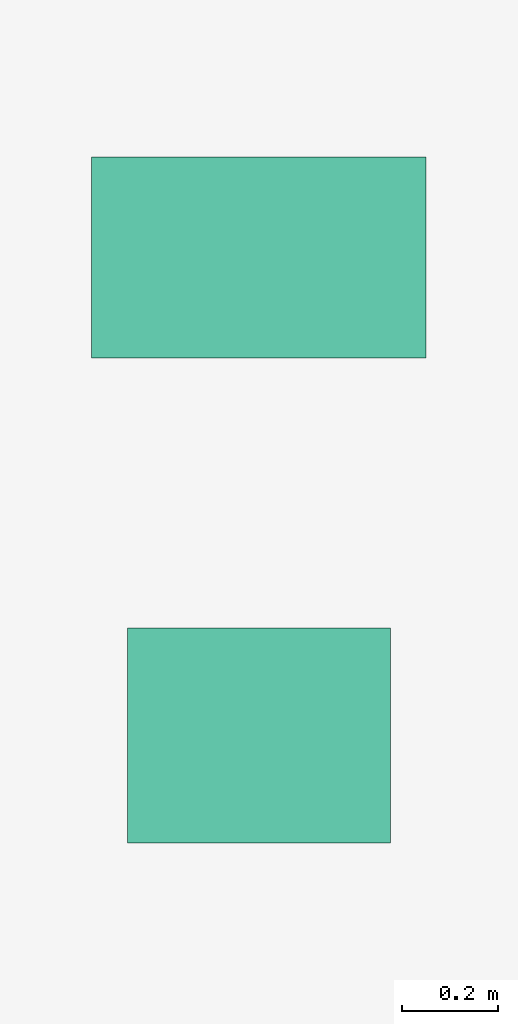
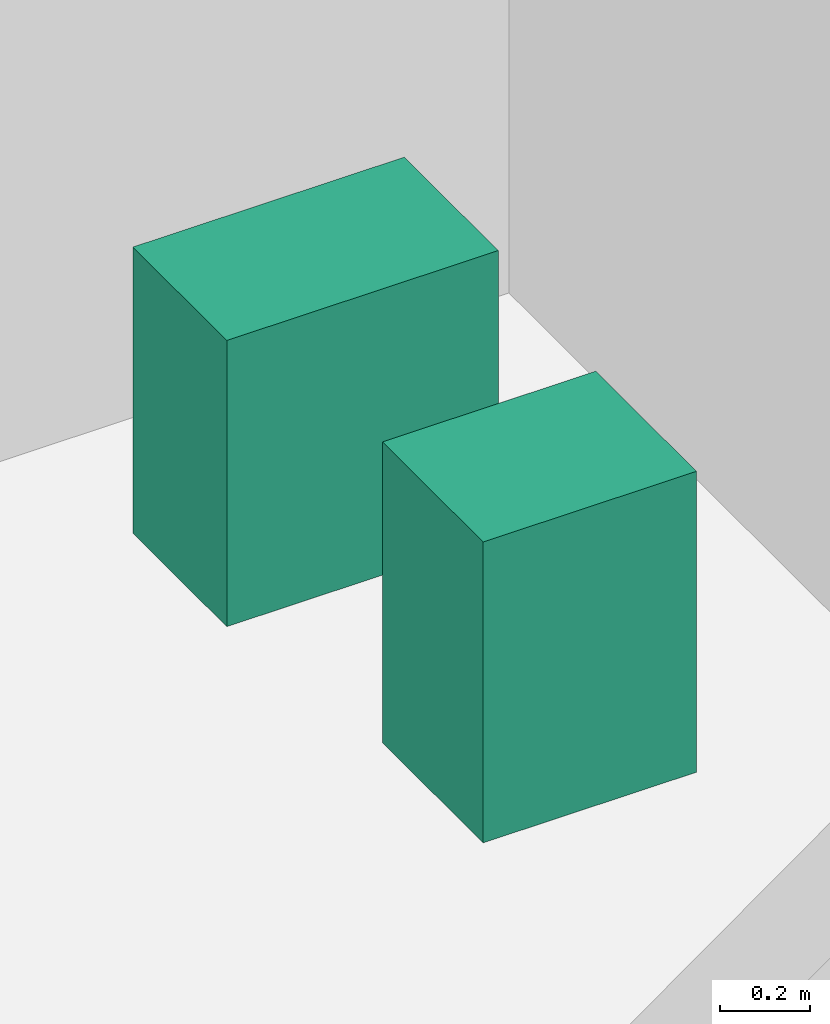
# One storey, part 30 of 30: 2 sanitary terminals.
"""IFC4 building model written with IfcOpenShell, lengths in metres."""

from ifc_helpers import new_model, si_unit, direction, frame, origin, origin_2d, place, context, subcontext, project, spatial, rectangle, extrude, source, transform, mapped, material, type_object, element, save


model = new_model("IFC4")

# Units and contexts
model_context = context("Model", 3, precision=1e-05, world=origin(), true_north=direction((0.0, 1.0)))
body_context = subcontext(model_context, "Body", "Model", "MODEL_VIEW")
ifc_project = project(units=[si_unit("LENGTHUNIT", "METRE"), si_unit("AREAUNIT", "SQUARE_METRE"), si_unit("VOLUMEUNIT", "CUBIC_METRE"), si_unit("PLANEANGLEUNIT", "RADIAN"), si_unit("MASSUNIT", "GRAM", prefix="KILO")], contexts=[model_context])

# Site, building, storey
site_placement = place(None, origin())
site = spatial("IfcSite", under=ifc_project, at=site_placement, CompositionType="ELEMENT")
building_placement = place(site_placement, origin())
building = spatial("IfcBuilding", under=site, at=building_placement, Name="Sumidabori Civic Tower", CompositionType="ELEMENT")
storey_placement = place(building_placement, frame((0.0, 0.0, 200.0)))
storey = spatial("IfcBuildingStorey", under=building, at=storey_placement, Name="L51", CompositionType="ELEMENT", Elevation=200.0)

# Sanitary terminals
ifc_material = material(Name="Vitreous Sanitary Porcelain")
sanitary_terminal_type_1 = type_object("IfcSanitaryTerminalType", Name="SN-WC-1", PredefinedType="TOILETPAN", material=ifc_material)
shared_shape_1 = source(origin(), body_context, "Body", "SweptSolid", [
    extrude(rectangle(XDim=0.699951171875, YDim=0.419921875, at=origin_2d()), origin(), (0.0, 0.0, 1.0), 0.780029296875),
])
sanitary_terminal_1_placement = place(storey_placement, frame((10.800048828125, 21.85009765625, 0.0), z_axis=(0.0, 0.0, 1.0), x_axis=(1.0, 0.0, 0.0)))
element("IfcSanitaryTerminal", 1, at=sanitary_terminal_1_placement, inside=storey, type_object=sanitary_terminal_type_1, Name="Accessible WC Pan L51", PredefinedType="TOILETPAN", context=body_context, shape_type="MappedRepresentation", body=[
    mapped(shared_shape_1, transform((0.0, 0.0, 0.0), x_axis=(1.0, 0.0, 0.0), y_axis=(0.0, 1.0, 0.0), z_axis=(0.0, 0.0, 1.0), scale=1.0)),
])
sanitary_terminal_type_2 = type_object("IfcSanitaryTerminalType", Name="SN-BAS-1", PredefinedType="WASHHANDBASIN", material=ifc_material)
shared_shape_2 = source(origin(), body_context, "Body", "SweptSolid", [
    extrude(rectangle(XDim=0.550048828125, YDim=0.449951171875, at=origin_2d()), origin(), (0.0, 0.0, 1.0), 0.820068359375),
])
sanitary_terminal_2_placement = place(storey_placement, frame((10.800048828125, 20.85009765625, 0.0), z_axis=(0.0, 0.0, 1.0), x_axis=(1.0, 0.0, 0.0)))
element("IfcSanitaryTerminal", 2, at=sanitary_terminal_2_placement, inside=storey, type_object=sanitary_terminal_type_2, Name="Accessible Basin L51", PredefinedType="WASHHANDBASIN", context=body_context, shape_type="MappedRepresentation", body=[
    mapped(shared_shape_2, transform((0.0, 0.0, 0.0), x_axis=(1.0, 0.0, 0.0), y_axis=(0.0, 1.0, 0.0), z_axis=(0.0, 0.0, 1.0), scale=1.0)),
])

save(model, "model.ifc")
